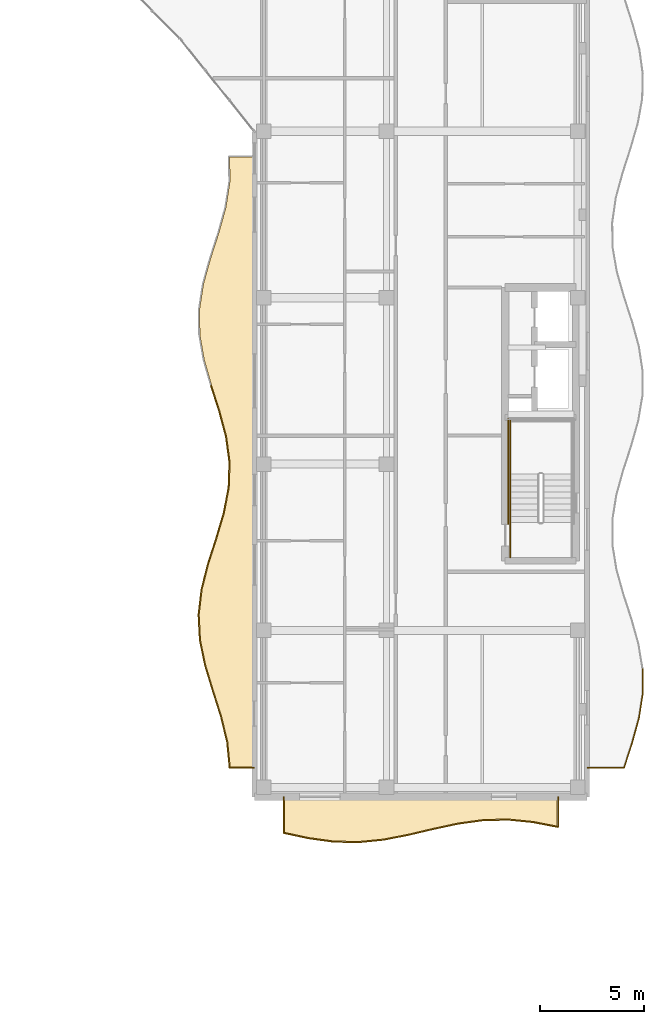
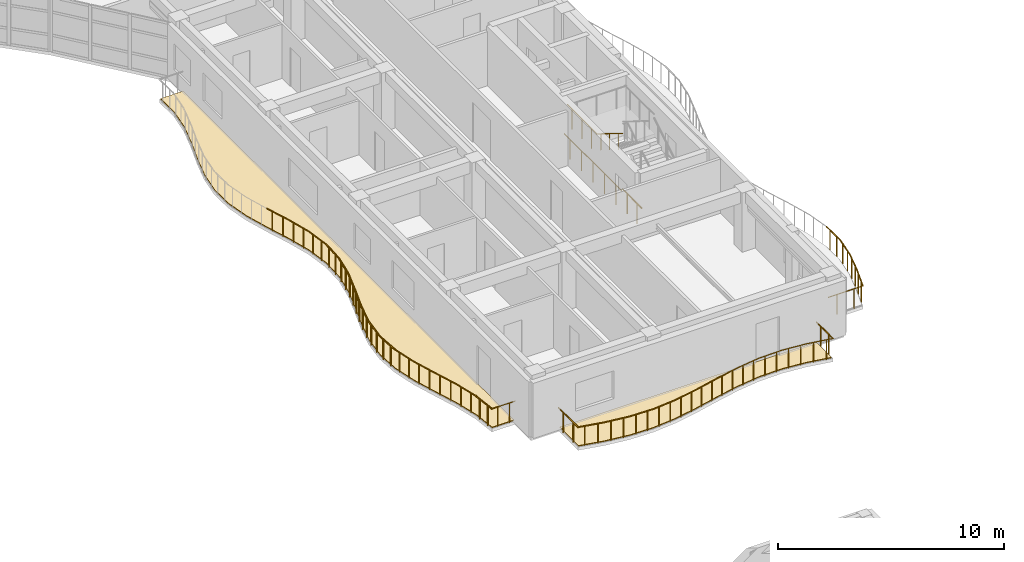
# One storey, part 84 of 89: 38 railings, 2 coverings.
"""IFC4 building model written with IfcOpenShell, lengths in metres."""

import ifcopenshell
import ifcopenshell.guid

model = None  # the IFC model being written
_history = None  # IfcOwnerHistory: only IFC2X3 demands one
_inside = {}  # id of a spatial element -> (the spatial element, [elements in it])
_under = {}  # id of a project, library or spatial element -> (it, [spatial elements below it])
_declared = {}  # id of a project -> (the project, [libraries it declares])
_typed = {}  # id of a type object -> (the type object, [elements of that type])
_made_of = {}  # id of a material, layer set ... -> (it, [elements and type objects made of it])


def new_model(schema):
    """Start an empty IFC model of exactly this schema.

    Asked for "IFC4X3", IfcOpenShell would pick the latest addendum, in which some entities
    have other attributes; the version numbers below select the first issue.
    IFC2X3 requires an IfcOwnerHistory on every rooted entity: one is made here for all.
    """
    global model, _history
    if schema == "IFC4X3":
        model = ifcopenshell.file(schema_version=(4, 3, 0, 0))
    else:
        model = ifcopenshell.file(schema=schema)
    _inside.clear()
    _under.clear()
    _declared.clear()
    _typed.clear()
    _made_of.clear()
    _history = None
    if model.schema == "IFC2X3":
        org = make("IfcOrganization", Name="unknown")
        user = make(
            "IfcPersonAndOrganization",
            ThePerson=make("IfcPerson", FamilyName="unknown"),
            TheOrganization=org,
        )
        app = make(
            "IfcApplication",
            ApplicationDeveloper=org,
            Version="unknown",
            ApplicationFullName="unknown",
            ApplicationIdentifier="unknown",
        )
        _history = make(
            "IfcOwnerHistory",
            OwningUser=user,
            OwningApplication=app,
            ChangeAction="ADDED",
            CreationDate=0,
        )
    return model


def make(cls, **values):
    """One entity of the class cls with the attributes given. An attribute that is None is left unset."""
    return model.create_entity(
        cls, **{name: value for name, value in values.items() if value is not None}
    )


def rooted(cls, **values):
    """An entity with a GlobalId (a new one), such as an element, a storey or a relation."""
    return make(cls, GlobalId=ifcopenshell.guid.new(), OwnerHistory=_history, **values)


def si_unit(unit_type, name, prefix=None):
    """IfcSIUnit, for example si_unit("LENGTHUNIT", "METRE", prefix="MILLI")."""
    return make("IfcSIUnit", UnitType=unit_type, Prefix=prefix, Name=name)


def assignment(units):
    """IfcUnitAssignment: the units of a project."""
    return None if units is None else make("IfcUnitAssignment", Units=units)


def point(xyz):
    """IfcCartesianPoint."""
    return None if xyz is None else make("IfcCartesianPoint", Coordinates=xyz)


def direction(xyz):
    """IfcDirection."""
    return None if xyz is None else make("IfcDirection", DirectionRatios=xyz)


def frame(location, z_axis=None, x_axis=None):
    """IfcAxis2Placement3D, a coordinate frame: its origin and axes. An axis left out is left unset."""
    return make(
        "IfcAxis2Placement3D",
        Location=point(location),
        Axis=direction(z_axis),
        RefDirection=direction(x_axis),
    )


def frame_2d(location, x_axis=None):
    """IfcAxis2Placement2D, a coordinate frame in the plane: its origin and x axis."""
    return make(
        "IfcAxis2Placement2D", Location=point(location), RefDirection=direction(x_axis)
    )


def origin():
    """The frame at (0, 0, 0) with its axes left unset."""
    return frame((0.0, 0.0, 0.0))


def origin_2d():
    """The frame at (0, 0) in the plane with its x axis left unset."""
    return frame_2d((0.0, 0.0))


def place(relative_to, where):
    """IfcLocalPlacement: puts the frame where relative to a parent placement (None: the world)."""
    return make(
        "IfcLocalPlacement", PlacementRelTo=relative_to, RelativePlacement=where
    )


def context(
    kind, dimensions, precision=None, world=None, true_north=None, identifier=None
):
    """IfcGeometricRepresentationContext, for example the 3D "Model" context."""
    return make(
        "IfcGeometricRepresentationContext",
        ContextIdentifier=identifier,
        ContextType=kind,
        CoordinateSpaceDimension=dimensions,
        Precision=precision,
        WorldCoordinateSystem=world,
        TrueNorth=true_north,
    )


def subcontext(parent, identifier, kind, view, scale=None):
    """IfcGeometricRepresentationSubContext, for example "Body" below "Model"."""
    return make(
        "IfcGeometricRepresentationSubContext",
        ContextIdentifier=identifier,
        ContextType=kind,
        ParentContext=parent,
        TargetScale=scale,
        TargetView=view,
    )


def project(units=None, contexts=None):
    """IfcProject with its units and contexts."""
    return rooted(
        "IfcProject",
        Name="project",
        RepresentationContexts=contexts,
        UnitsInContext=assignment(units),
    )


def spatial(cls, under=None, at=None, **own):
    """A site, building, storey or space (cls), placed at a placement, below another one or the project."""
    s = rooted(cls, ObjectPlacement=at, **own)
    if under is not None:
        _under.setdefault(under.id(), (under, []))[1].append(s)
    return s


def polyline(points):
    """IfcPolyline through the points."""
    return make("IfcPolyline", Points=[point(p) for p in points])


def profile(cls, at=None, kind="AREA", **sizes):
    """A parametric profile (cls). Its sizes go by their IFC names, for example OverallWidth=200.0."""
    return make(cls, ProfileType=kind, Position=at, **sizes)


def circle(**sizes):
    """IfcCircleProfileDef."""
    return profile("IfcCircleProfileDef", **sizes)


def outline(outer, holes=None, kind="AREA"):
    """IfcArbitraryClosedProfileDef: a profile drawn as a closed curve; with holes, ...WithVoids."""
    if holes is None:
        return make("IfcArbitraryClosedProfileDef", ProfileType=kind, OuterCurve=outer)
    return make(
        "IfcArbitraryProfileDefWithVoids",
        ProfileType=kind,
        OuterCurve=outer,
        InnerCurves=holes,
    )


def extrude(swept, where, along, depth):
    """IfcExtrudedAreaSolid: the profile swept, set in the frame where, extruded along a direction by depth."""
    return make(
        "IfcExtrudedAreaSolid",
        SweptArea=swept,
        Position=where,
        ExtrudedDirection=direction(along),
        Depth=depth,
    )


def shape(context_of_items, identifier, shape_type, items):
    """IfcShapeRepresentation: the items that make up one representation, for example the "Body"."""
    return make(
        "IfcShapeRepresentation",
        ContextOfItems=context_of_items,
        RepresentationIdentifier=identifier,
        RepresentationType=shape_type,
        Items=items,
    )


def material(Name=None, Category=None):
    """IfcMaterial."""
    return make("IfcMaterial", Name=Name, Category=Category)


def layer(
    of_material, thickness, ventilated=None, Name=None, Category=None, Priority=None
):
    """IfcMaterialLayer: one layer of a wall or slab, of a material (None: an air gap)."""
    return make(
        "IfcMaterialLayer",
        Material=of_material,
        LayerThickness=thickness,
        IsVentilated=ventilated,
        Name=Name,
        Category=Category,
        Priority=Priority,
    )


def layer_set(layers, Name=None):
    """IfcMaterialLayerSet."""
    return make("IfcMaterialLayerSet", MaterialLayers=layers, LayerSetName=Name)


def made_of(thing, what):
    """Note that an element or type object is made of a material, layer set ...; save() writes the relation."""
    if what is not None:
        _made_of.setdefault(what.id(), (what, []))[1].append(thing)
    return thing


def type_object(cls, material=None, **own):
    """A type object (cls), such as IfcWallType, which elements share."""
    return made_of(rooted(cls, **own), material)


def element(
    cls,
    number,
    at=None,
    inside=None,
    cuts=None,
    type_object=None,
    material=None,
    context=None,
    identifier="Body",
    shape_type=None,
    held_by="IfcProductDefinitionShape",
    body=None,
    shapes=None,
    **own,
):
    """One element of the class cls, such as IfcWall. Its Tag is "e" and its number.

    at: its placement. inside: the storey or other place that contains it. cuts: it is an
    opening in that element (IfcRelVoidsElement). A single representation is given by context,
    identifier, shape_type and body (its items); several are given by shapes. held_by: the class
    of the entity that holds the representations. save() writes the other relations.
    """
    e = rooted(cls, Tag="e%d" % number, ObjectPlacement=at, **own)
    if body is not None:
        shapes = [shape(context, identifier, shape_type, body)]
    if shapes is not None:
        e.Representation = make(held_by, Representations=shapes)
    if inside is not None:
        _inside.setdefault(inside.id(), (inside, []))[1].append(e)
    if cuts is not None:
        rooted(
            "IfcRelVoidsElement", RelatingBuildingElement=cuts, RelatedOpeningElement=e
        )
    if type_object is not None:
        _typed.setdefault(type_object.id(), (type_object, []))[1].append(e)
    return made_of(e, material)


def aggregate(whole, parts):
    """IfcRelAggregates: a whole, such as a stair, and the parts it consists of."""
    return rooted("IfcRelAggregates", RelatingObject=whole, RelatedObjects=parts)


def save(model, path):
    """Write the relations noted so far, then the file.

    IfcRelAggregates (storeys below a building ...), IfcRelContainedInSpatialStructure (elements
    in a storey), IfcRelDefinesByType, IfcRelAssociatesMaterial and IfcRelDeclares: one each for
    every whole, place, type object, material and project.
    """
    for whole, parts in _under.values():
        aggregate(whole, parts)
    for where, things in _inside.values():
        rooted(
            "IfcRelContainedInSpatialStructure",
            RelatedElements=things,
            RelatingStructure=where,
        )
    for kind, things in _typed.values():
        rooted("IfcRelDefinesByType", RelatedObjects=things, RelatingType=kind)
    for what, things in _made_of.values():
        rooted("IfcRelAssociatesMaterial", RelatedObjects=things, RelatingMaterial=what)
    for by, libraries in _declared.values():
        rooted("IfcRelDeclares", RelatingContext=by, RelatedDefinitions=libraries)
    model.write(path)


model = new_model("IFC4")

# Units and contexts
model_context = context("Model", 3, precision=1e-05, world=origin(), true_north=direction((0.0, 1.0)))
body_context = subcontext(model_context, "Body", "Model", "MODEL_VIEW")
ifc_project = project(units=[si_unit("LENGTHUNIT", "METRE"), si_unit("AREAUNIT", "SQUARE_METRE"), si_unit("VOLUMEUNIT", "CUBIC_METRE"), si_unit("PLANEANGLEUNIT", "RADIAN"), si_unit("MASSUNIT", "GRAM", prefix="KILO")], contexts=[model_context])

# Site, building, storey
site_placement = place(None, origin())
site = spatial("IfcSite", under=ifc_project, at=site_placement, CompositionType="ELEMENT")
building_placement = place(site_placement, origin())
building = spatial("IfcBuilding", under=site, at=building_placement, Name="Keldmere Railside Commons", CompositionType="ELEMENT")
storey_placement = place(building_placement, frame((0.0, 0.0, 7.360107421875)))
storey = spatial("IfcBuildingStorey", under=building, at=storey_placement, Name="L02", CompositionType="ELEMENT", Elevation=7.360107421875)

# Railings
ifc_material_1 = material(Name="Steel F-24 (S235)", Category="steel")
railing_type_1 = type_object("IfcRailingType", Name="Balcony & Terrace Steel Balustrade 1100", PredefinedType="BALUSTRADE", material=ifc_material_1)
railing_1_placement = place(storey_placement, frame((168.0, 57.39990234375, 0.0)))
element("IfcRailing", 1, at=railing_1_placement, inside=storey, type_object=railing_type_1, Name="GR-1 GRD-L02-3320", PredefinedType="BALUSTRADE", context=body_context, shape_type="SweptSolid", body=[
    extrude(circle(Radius=0.02392578125, at=origin_2d()), frame((0.0, 0.0, 1.076171875), z_axis=(-1.0, 0.0, 0.0), x_axis=(0.0, -1.0, 0.0)), (0.0, 0.0, 1.0), 1.200439453125),
    extrude(circle(Radius=0.02099609375, at=origin_2d()), frame((-0.300048828125, 0.0, 0.0)), (0.0, 0.0, 1.0), 1.048095703125),
    extrude(circle(Radius=0.02099609375, at=origin_2d()), frame((-0.900390625, 0.0, 0.0)), (0.0, 0.0, 1.0), 1.048095703125),
])
railing_2_placement = place(storey_placement, frame((166.799560546875, 57.39990234375, 0.0)))
element("IfcRailing", 2, at=railing_2_placement, inside=storey, type_object=railing_type_1, Name="GR-1 GRD-L02-3321", PredefinedType="BALUSTRADE", context=body_context, shape_type="SweptSolid", body=[
    extrude(circle(Radius=0.02392578125, at=origin_2d()), frame((0.0, 0.0, 1.076171875), z_axis=(-0.096596770038, 0.99532359764, 0.0), x_axis=(-0.99532359764, -0.096596770038, 0.0)), (0.0, 0.0, 1.0), 1.23095703125),
    extrude(circle(Radius=0.02099609375, at=origin_2d()), frame((-0.02978515625, 0.30615234375, 0.0)), (0.0, 0.0, 1.0), 1.048095703125),
    extrude(circle(Radius=0.02099609375, at=origin_2d()), frame((-0.089111328125, 0.9189453125, 0.0)), (0.0, 0.0, 1.0), 1.048095703125),
])
railing_3_placement = place(storey_placement, frame((166.6806640625, 58.625, 0.0)))
element("IfcRailing", 3, at=railing_3_placement, inside=storey, type_object=railing_type_1, Name="GR-1 GRD-L02-3322", PredefinedType="BALUSTRADE", context=body_context, shape_type="SweptSolid", body=[
    extrude(circle(Radius=0.02392578125, at=origin_2d()), frame((0.0, 0.0, 1.076171875), z_axis=(-0.234047055835, 0.972225270015, 0.0), x_axis=(-0.972225270015, -0.234047055835, 0.0)), (0.0, 0.0, 1.0), 1.260009765625),
    extrude(circle(Radius=0.02099609375, at=origin_2d()), frame((-0.07373046875, 0.30615234375, 0.0)), (0.0, 0.0, 1.0), 1.048095703125),
    extrude(circle(Radius=0.02099609375, at=origin_2d()), frame((-0.22119140625, 0.9189453125, 0.0)), (0.0, 0.0, 1.0), 1.048095703125),
])
railing_4_placement = place(storey_placement, frame((166.3857421875, 59.85009765625, 0.0)))
element("IfcRailing", 4, at=railing_4_placement, inside=storey, type_object=railing_type_1, Name="GR-1 GRD-L02-3323", PredefinedType="BALUSTRADE", context=body_context, shape_type="SweptSolid", body=[
    extrude(circle(Radius=0.02392578125, at=origin_2d()), frame((0.0, 0.0, 1.076171875), z_axis=(-0.302285967986, 0.953217285596, 0.0), x_axis=(-0.953217285596, -0.302285967986, 0.0)), (0.0, 0.0, 1.0), 1.284912109375),
    extrude(circle(Radius=0.02099609375, at=origin_2d()), frame((-0.09716796875, 0.30615234375, 0.0)), (0.0, 0.0, 1.0), 1.048095703125),
    extrude(circle(Radius=0.02099609375, at=origin_2d()), frame((-0.291259765625, 0.918701171875, 0.0)), (0.0, 0.0, 1.0), 1.048095703125),
])
railing_5_placement = place(storey_placement, frame((165.997314453125, 61.074951171875, 0.0)))
element("IfcRailing", 5, at=railing_5_placement, inside=storey, type_object=railing_type_1, Name="GR-1 GRD-L02-3324", PredefinedType="BALUSTRADE", context=body_context, shape_type="SweptSolid", body=[
    extrude(circle(Radius=0.02392578125, at=origin_2d()), frame((0.0, 0.0, 1.076171875), z_axis=(-0.29182142084, 0.956472821537, 0.0), x_axis=(-0.956472821537, -0.29182142084, 0.0)), (0.0, 0.0, 1.0), 1.28076171875),
    extrude(circle(Radius=0.02099609375, at=origin_2d()), frame((-0.093505859375, 0.30615234375, 0.0)), (0.0, 0.0, 1.0), 1.048095703125),
    extrude(circle(Radius=0.02099609375, at=origin_2d()), frame((-0.2802734375, 0.9189453125, 0.0)), (0.0, 0.0, 1.0), 1.048095703125),
])
railing_6_placement = place(storey_placement, frame((165.62353515625, 62.300048828125, 0.0)))
element("IfcRailing", 6, at=railing_6_placement, inside=storey, type_object=railing_type_1, Name="GR-1 GRD-L02-3325", PredefinedType="BALUSTRADE", context=body_context, shape_type="SweptSolid", body=[
    extrude(circle(Radius=0.02392578125, at=origin_2d()), frame((0.0, 0.0, 1.076171875), z_axis=(-0.203728260591, 0.979027474506, 0.0), x_axis=(-0.979027474506, -0.203728260591, 0.0)), (0.0, 0.0, 1.0), 1.2509765625),
    extrude(circle(Radius=0.02099609375, at=origin_2d()), frame((-0.063720703125, 0.30615234375, 0.0)), (0.0, 0.0, 1.0), 1.048095703125),
    extrude(circle(Radius=0.02099609375, at=origin_2d()), frame((-0.191162109375, 0.918701171875, 0.0)), (0.0, 0.0, 1.0), 1.048095703125),
])
railing_7_placement = place(storey_placement, frame((165.36865234375, 63.52490234375, 0.0)))
element("IfcRailing", 7, at=railing_7_placement, inside=storey, type_object=railing_type_1, Name="GR-1 GRD-L02-3326", PredefinedType="BALUSTRADE", context=body_context, shape_type="SweptSolid", body=[
    extrude(circle(Radius=0.02392578125, at=origin_2d()), frame((0.0, 0.0, 1.076171875), z_axis=(-0.052736397772, 0.998608467994, 0.0), x_axis=(-0.998608467994, -0.052736397772, 0.0)), (0.0, 0.0, 1.0), 1.226806640625),
    extrude(circle(Radius=0.02099609375, at=origin_2d()), frame((-0.01611328125, 0.30615234375, 0.0)), (0.0, 0.0, 1.0), 1.048095703125),
    extrude(circle(Radius=0.02099609375, at=origin_2d()), frame((-0.048583984375, 0.9189453125, 0.0)), (0.0, 0.0, 1.0), 1.048095703125),
])
railing_8_placement = place(storey_placement, frame((165.303955078125, 64.75, 0.0)))
element("IfcRailing", 8, at=railing_8_placement, inside=storey, type_object=railing_type_1, Name="GR-1 GRD-L02-3327", PredefinedType="BALUSTRADE", context=body_context, shape_type="SweptSolid", body=[
    extrude(circle(Radius=0.02392578125, at=origin_2d()), frame((0.0, 0.0, 1.076171875), z_axis=(0.116186624915, 0.99322740004, 0.0), x_axis=(-0.99322740004, 0.116186624915, 0.0)), (0.0, 0.0, 1.0), 1.2333984375),
    extrude(circle(Radius=0.02099609375, at=origin_2d()), frame((0.035888671875, 0.30615234375, 0.0)), (0.0, 0.0, 1.0), 1.048095703125),
    extrude(circle(Radius=0.02099609375, at=origin_2d()), frame((0.107421875, 0.9189453125, 0.0)), (0.0, 0.0, 1.0), 1.048095703125),
])
railing_9_placement = place(storey_placement, frame((165.447265625, 65.97509765625, 0.0)))
element("IfcRailing", 9, at=railing_9_placement, inside=storey, type_object=railing_type_1, Name="GR-1 GRD-L02-3328", PredefinedType="BALUSTRADE", context=body_context, shape_type="SweptSolid", body=[
    extrude(circle(Radius=0.02392578125, at=origin_2d()), frame((0.0, 0.0, 1.076171875), z_axis=(0.2464879626, 0.969145852952, 0.0), x_axis=(-0.969145852952, 0.2464879626, 0.0)), (0.0, 0.0, 1.0), 1.263916015625),
    extrude(circle(Radius=0.02099609375, at=origin_2d()), frame((0.077880859375, 0.30615234375, 0.0)), (0.0, 0.0, 1.0), 1.048095703125),
    extrude(circle(Radius=0.02099609375, at=origin_2d()), frame((0.233642578125, 0.918701171875, 0.0)), (0.0, 0.0, 1.0), 1.048095703125),
])
railing_10_placement = place(storey_placement, frame((165.7587890625, 67.199951171875, 0.0)))
element("IfcRailing", 10, at=railing_10_placement, inside=storey, type_object=railing_type_1, Name="GR-1 GRD-L02-3329", PredefinedType="BALUSTRADE", context=body_context, shape_type="SweptSolid", body=[
    extrude(circle(Radius=0.02392578125, at=origin_2d()), frame((0.0, 0.0, 1.076171875), z_axis=(0.305333404946, 0.952245510267, 0.0), x_axis=(-0.952245510267, 0.305333404946, 0.0)), (0.0, 0.0, 1.0), 1.28662109375),
    extrude(circle(Radius=0.02099609375, at=origin_2d()), frame((0.09814453125, 0.30615234375, 0.0)), (0.0, 0.0, 1.0), 1.048095703125),
    extrude(circle(Radius=0.02099609375, at=origin_2d()), frame((0.294677734375, 0.9189453125, 0.0)), (0.0, 0.0, 1.0), 1.048095703125),
])
railing_11_placement = place(storey_placement, frame((166.151611328125, 68.425048828125, 0.0)))
element("IfcRailing", 11, at=railing_11_placement, inside=storey, type_object=railing_type_1, Name="GR-1 GRD-L02-3330", PredefinedType="BALUSTRADE", context=body_context, shape_type="SweptSolid", body=[
    extrude(circle(Radius=0.02392578125, at=origin_2d()), frame((0.0, 0.0, 1.076171875), z_axis=(0.285050919605, 0.958512375106, 0.0), x_axis=(-0.958512375106, 0.285050919605, 0.0)), (0.0, 0.0, 1.0), 1.27783203125),
    extrude(circle(Radius=0.02099609375, at=origin_2d()), frame((0.091064453125, 0.30615234375, 0.0)), (0.0, 0.0, 1.0), 1.048095703125),
    extrude(circle(Radius=0.02099609375, at=origin_2d()), frame((0.273193359375, 0.918701171875, 0.0)), (0.0, 0.0, 1.0), 1.048095703125),
])
railing_12_placement = place(storey_placement, frame((166.515869140625, 69.64990234375, 0.0)))
element("IfcRailing", 12, at=railing_12_placement, inside=storey, type_object=railing_type_1, Name="GR-1 GRD-L02-3331", PredefinedType="BALUSTRADE", context=body_context, shape_type="SweptSolid", body=[
    extrude(circle(Radius=0.02392578125, at=origin_2d()), frame((0.0, 0.0, 1.076171875), z_axis=(0.187903544579, 0.982187486142, 0.0), x_axis=(-0.982187486142, 0.187903544579, 0.0)), (0.0, 0.0, 1.0), 1.247314453125),
    extrude(circle(Radius=0.02099609375, at=origin_2d()), frame((0.05859375, 0.30615234375, 0.0)), (0.0, 0.0, 1.0), 1.048095703125),
    extrude(circle(Radius=0.02099609375, at=origin_2d()), frame((0.17578125, 0.9189453125, 0.0)), (0.0, 0.0, 1.0), 1.048095703125),
])
railing_13_placement = place(storey_placement, frame((166.750244140625, 70.875, 0.0)))
element("IfcRailing", 13, at=railing_13_placement, inside=storey, type_object=railing_type_1, Name="GR-1 GRD-L02-3332", PredefinedType="BALUSTRADE", context=body_context, shape_type="SweptSolid", body=[
    extrude(circle(Radius=0.02392578125, at=origin_2d()), frame((0.0, 0.0, 1.076171875), z_axis=(0.031869017262, 0.999492053865, 0.0), x_axis=(-0.999492053865, 0.031869017262, 0.0)), (0.0, 0.0, 1.0), 1.225830078125),
    extrude(circle(Radius=0.02099609375, at=origin_2d()), frame((0.009765625, 0.30615234375, 0.0)), (0.0, 0.0, 1.0), 1.048095703125),
    extrude(circle(Radius=0.02099609375, at=origin_2d()), frame((0.029296875, 0.9189453125, 0.0)), (0.0, 0.0, 1.0), 1.048095703125),
])
railing_14_placement = place(storey_placement, frame((166.789306640625, 72.10009765625, 0.0)))
element("IfcRailing", 14, at=railing_14_placement, inside=storey, type_object=railing_type_1, Name="GR-1 GRD-L02-3333", PredefinedType="BALUSTRADE", context=body_context, shape_type="SweptSolid", body=[
    extrude(circle(Radius=0.02392578125, at=origin_2d()), frame((0.0, 0.0, 1.076171875), z_axis=(-0.135086765156, 0.990833773082, 0.0), x_axis=(-0.990833773082, -0.135086765156, 0.0)), (0.0, 0.0, 1.0), 1.236083984375),
    extrude(circle(Radius=0.02099609375, at=origin_2d()), frame((-0.041748046875, 0.30615234375, 0.0)), (0.0, 0.0, 1.0), 1.048095703125),
    extrude(circle(Radius=0.02099609375, at=origin_2d()), frame((-0.125244140625, 0.918701171875, 0.0)), (0.0, 0.0, 1.0), 1.048095703125),
])
railing_15_placement = place(storey_placement, frame((166.622314453125, 73.324951171875, 0.0)))
element("IfcRailing", 15, at=railing_15_placement, inside=storey, type_object=railing_type_1, Name="GR-1 GRD-L02-3334", PredefinedType="BALUSTRADE", context=body_context, shape_type="SweptSolid", body=[
    extrude(circle(Radius=0.02392578125, at=origin_2d()), frame((0.0, 0.0, 1.076171875), z_axis=(-0.257818441298, 0.966193381951, 0.0), x_axis=(-0.966193381951, -0.257818441298, 0.0)), (0.0, 0.0, 1.0), 1.26806640625),
    extrude(circle(Radius=0.02099609375, at=origin_2d()), frame((-0.081787109375, 0.30615234375, 0.0)), (0.0, 0.0, 1.0), 1.048095703125),
    extrude(circle(Radius=0.02099609375, at=origin_2d()), frame((-0.2451171875, 0.9189453125, 0.0)), (0.0, 0.0, 1.0), 1.048095703125),
])
railing_16_placement = place(storey_placement, frame((166.29541015625, 74.550048828125, 0.0)))
element("IfcRailing", 16, at=railing_16_placement, inside=storey, type_object=railing_type_1, Name="GR-1 GRD-L02-3335", PredefinedType="BALUSTRADE", context=body_context, shape_type="SweptSolid", body=[
    extrude(circle(Radius=0.02392578125, at=origin_2d()), frame((0.0, 0.0, 1.076171875), z_axis=(-0.307108081908, 0.951674642946, 0.0), x_axis=(-0.951674642946, -0.307108081908, 0.0)), (0.0, 0.0, 1.0), 1.287109375),
    extrude(circle(Radius=0.02099609375, at=origin_2d()), frame((-0.098876953125, 0.30615234375, 0.0)), (0.0, 0.0, 1.0), 1.048095703125),
    extrude(circle(Radius=0.02099609375, at=origin_2d()), frame((-0.29638671875, 0.918701171875, 0.0)), (0.0, 0.0, 1.0), 1.048095703125),
])
railing_17_placement = place(storey_placement, frame((184.0, 57.39990234375, 0.0)))
element("IfcRailing", 17, at=railing_17_placement, inside=storey, type_object=railing_type_1, Name="GR-1 GRD-L02-3346", PredefinedType="BALUSTRADE", context=body_context, shape_type="SweptSolid", body=[
    extrude(circle(Radius=0.02392578125, at=origin_2d()), frame((0.0, 0.0, 1.076171875), z_axis=(1.0, 0.0, 0.0), x_axis=(0.0, 1.0, 0.0)), (0.0, 0.0, 1.0), 1.776611328125),
    extrude(circle(Radius=0.02099609375, at=origin_2d()), frame((0.444091796875, 0.0, 0.0)), (0.0, 0.0, 1.0), 1.048095703125),
    extrude(circle(Radius=0.02099609375, at=origin_2d()), frame((1.33251953125, 0.0, 0.0)), (0.0, 0.0, 1.0), 1.048095703125),
])
railing_18_placement = place(storey_placement, frame((185.776611328125, 57.39990234375, 0.0)))
element("IfcRailing", 18, at=railing_18_placement, inside=storey, type_object=railing_type_1, Name="GR-1 GRD-L02-3347", PredefinedType="BALUSTRADE", context=body_context, shape_type="SweptSolid", body=[
    extrude(circle(Radius=0.02392578125, at=origin_2d()), frame((0.0, 0.0, 1.076171875), z_axis=(0.307737259803, 0.95147137578, 0.0), x_axis=(-0.95147137578, 0.307737259803, 0.0)), (0.0, 0.0, 1.0), 1.252685546875),
    extrude(circle(Radius=0.02099609375, at=origin_2d()), frame((0.096435546875, 0.2978515625, 0.0)), (0.0, 0.0, 1.0), 1.048095703125),
    extrude(circle(Radius=0.02099609375, at=origin_2d()), frame((0.2890625, 0.89404296875, 0.0)), (0.0, 0.0, 1.0), 1.048095703125),
])
railing_19_placement = place(storey_placement, frame((186.162109375, 58.591796875, 0.0)))
element("IfcRailing", 19, at=railing_19_placement, inside=storey, type_object=railing_type_1, Name="GR-1 GRD-L02-3348", PredefinedType="BALUSTRADE", context=body_context, shape_type="SweptSolid", body=[
    extrude(circle(Radius=0.02392578125, at=origin_2d()), frame((0.0, 0.0, 1.076171875), z_axis=(0.266441614751, 0.963851060034, 0.0), x_axis=(-0.963851060034, 0.266441614751, 0.0)), (0.0, 0.0, 1.0), 1.236083984375),
    extrude(circle(Radius=0.02099609375, at=origin_2d()), frame((0.082275390625, 0.2978515625, 0.0)), (0.0, 0.0, 1.0), 1.048095703125),
    extrude(circle(Radius=0.02099609375, at=origin_2d()), frame((0.2470703125, 0.8935546875, 0.0)), (0.0, 0.0, 1.0), 1.048095703125),
])
railing_20_placement = place(storey_placement, frame((186.491455078125, 59.783203125, 0.0)))
element("IfcRailing", 20, at=railing_20_placement, inside=storey, type_object=railing_type_1, Name="GR-1 GRD-L02-3349", PredefinedType="BALUSTRADE", context=body_context, shape_type="SweptSolid", body=[
    extrude(circle(Radius=0.02392578125, at=origin_2d()), frame((0.0, 0.0, 1.076171875), z_axis=(0.154413921588, 0.988006245334, 0.0), x_axis=(-0.988006245334, 0.154413921588, 0.0)), (0.0, 0.0, 1.0), 1.206298828125),
    extrude(circle(Radius=0.02099609375, at=origin_2d()), frame((0.046630859375, 0.2978515625, 0.0)), (0.0, 0.0, 1.0), 1.048095703125),
    extrude(circle(Radius=0.02099609375, at=origin_2d()), frame((0.1396484375, 0.89404296875, 0.0)), (0.0, 0.0, 1.0), 1.048095703125),
])
railing_21_placement = place(storey_placement, frame((186.677734375, 60.97509765625, 0.0)))
element("IfcRailing", 21, at=railing_21_placement, inside=storey, type_object=railing_type_1, Name="GR-1 GRD-L02-3350", PredefinedType="BALUSTRADE", context=body_context, shape_type="SweptSolid", body=[
    extrude(circle(Radius=0.02392578125, at=origin_2d()), frame((0.0, 0.0, 1.076171875), z_axis=(-0.005121834067, 0.999986883322, 0.0), x_axis=(-0.999986883322, -0.005121834067, 0.0)), (0.0, 0.0, 1.0), 1.191650390625),
    extrude(circle(Radius=0.02099609375, at=origin_2d()), frame((-0.00146484375, 0.2978515625, 0.0)), (0.0, 0.0, 1.0), 1.048095703125),
    extrude(circle(Radius=0.02099609375, at=origin_2d()), frame((-0.004638671875, 0.893798828125, 0.0)), (0.0, 0.0, 1.0), 1.048095703125),
])
railing_22_placement = place(storey_placement, frame((169.39990234375, 56.0, 0.0)))
element("IfcRailing", 22, at=railing_22_placement, inside=storey, type_object=railing_type_1, Name="GR-1 GRD-L02-3409", PredefinedType="BALUSTRADE", context=body_context, shape_type="SweptSolid", body=[
    extrude(circle(Radius=0.02392578125, at=origin_2d()), frame((0.0, 0.0, 1.076171875), z_axis=(0.0, -1.0, 0.0), x_axis=(1.0, 0.0, 0.0)), (0.0, 0.0, 1.0), 1.7412109375),
    extrude(circle(Radius=0.02099609375, at=origin_2d()), frame((0.0, -0.435302734375, 0.0)), (0.0, 0.0, 1.0), 1.048095703125),
    extrude(circle(Radius=0.02099609375, at=origin_2d()), frame((0.0, -1.305908203125, 0.0)), (0.0, 0.0, 1.0), 1.048095703125),
])
railing_23_placement = place(storey_placement, frame((169.39990234375, 54.2587890625, 0.0)))
element("IfcRailing", 23, at=railing_23_placement, inside=storey, type_object=railing_type_1, Name="GR-1 GRD-L02-3410", PredefinedType="BALUSTRADE", context=body_context, shape_type="SweptSolid", body=[
    extrude(circle(Radius=0.02392578125, at=origin_2d()), frame((0.0, 0.0, 1.076171875), z_axis=(0.977492911563, -0.210968262646, 0.0), x_axis=(0.210968262646, 0.977492911563, 0.0)), (0.0, 0.0, 1.0), 1.227783203125),
    extrude(circle(Radius=0.02099609375, at=origin_2d()), frame((0.300048828125, -0.064697265625, 0.0)), (0.0, 0.0, 1.0), 1.048095703125),
    extrude(circle(Radius=0.02099609375, at=origin_2d()), frame((0.900146484375, -0.1943359375, 0.0)), (0.0, 0.0, 1.0), 1.048095703125),
])
railing_24_placement = place(storey_placement, frame((170.60009765625, 53.999755859375, 0.0)))
element("IfcRailing", 24, at=railing_24_placement, inside=storey, type_object=railing_type_1, Name="GR-1 GRD-L02-3411", PredefinedType="BALUSTRADE", context=body_context, shape_type="SweptSolid", body=[
    extrude(circle(Radius=0.02392578125, at=origin_2d()), frame((0.0, 0.0, 1.076171875), z_axis=(0.990673739072, -0.136255431864, 0.0), x_axis=(0.136255431864, 0.990673739072, 0.0)), (0.0, 0.0, 1.0), 1.211181640625),
    extrude(circle(Radius=0.02099609375, at=origin_2d()), frame((0.300048828125, -0.041259765625, 0.0)), (0.0, 0.0, 1.0), 1.048095703125),
    extrude(circle(Radius=0.02099609375, at=origin_2d()), frame((0.89990234375, -0.123779296875, 0.0)), (0.0, 0.0, 1.0), 1.048095703125),
])
railing_25_placement = place(storey_placement, frame((171.800048828125, 53.834716796875, 0.0)))
element("IfcRailing", 25, at=railing_25_placement, inside=storey, type_object=railing_type_1, Name="GR-1 GRD-L02-3412", PredefinedType="BALUSTRADE", context=body_context, shape_type="SweptSolid", body=[
    extrude(circle(Radius=0.02392578125, at=origin_2d()), frame((0.0, 0.0, 1.076171875), z_axis=(0.999745080635, -0.022578169675, 0.0), x_axis=(0.022578169675, 0.999745080635, 0.0)), (0.0, 0.0, 1.0), 1.2001953125),
    extrude(circle(Radius=0.02099609375, at=origin_2d()), frame((0.300048828125, -0.0068359375, 0.0)), (0.0, 0.0, 1.0), 1.048095703125),
    extrude(circle(Radius=0.02099609375, at=origin_2d()), frame((0.89990234375, -0.020263671875, 0.0)), (0.0, 0.0, 1.0), 1.048095703125),
])
railing_26_placement = place(storey_placement, frame((173.0, 53.8076171875, 0.0)))
element("IfcRailing", 26, at=railing_26_placement, inside=storey, type_object=railing_type_1, Name="GR-1 GRD-L02-3413", PredefinedType="BALUSTRADE", context=body_context, shape_type="SweptSolid", body=[
    extrude(circle(Radius=0.02392578125, at=origin_2d()), frame((0.0, 0.0, 1.076171875), z_axis=(0.99516664295, 0.098200574126, 0.0), x_axis=(-0.098200574126, 0.99516664295, 0.0)), (0.0, 0.0, 1.0), 1.205810546875),
    extrude(circle(Radius=0.02099609375, at=origin_2d()), frame((0.300048828125, 0.029541015625, 0.0)), (0.0, 0.0, 1.0), 1.048095703125),
    extrude(circle(Radius=0.02099609375, at=origin_2d()), frame((0.89990234375, 0.0888671875, 0.0)), (0.0, 0.0, 1.0), 1.048095703125),
])
railing_27_placement = place(storey_placement, frame((174.199951171875, 53.926025390625, 0.0)))
element("IfcRailing", 27, at=railing_27_placement, inside=storey, type_object=railing_type_1, Name="GR-1 GRD-L02-3414", PredefinedType="BALUSTRADE", context=body_context, shape_type="SweptSolid", body=[
    extrude(circle(Radius=0.02392578125, at=origin_2d()), frame((0.0, 0.0, 1.076171875), z_axis=(0.981827906182, 0.189773450839, 0.0), x_axis=(-0.189773450839, 0.981827906182, 0.0)), (0.0, 0.0, 1.0), 1.22216796875),
    extrude(circle(Radius=0.02099609375, at=origin_2d()), frame((0.300048828125, 0.05810546875, 0.0)), (0.0, 0.0, 1.0), 1.048095703125),
    extrude(circle(Radius=0.02099609375, at=origin_2d()), frame((0.89990234375, 0.173828125, 0.0)), (0.0, 0.0, 1.0), 1.048095703125),
])
railing_28_placement = place(storey_placement, frame((175.39990234375, 54.157958984375, 0.0)))
element("IfcRailing", 28, at=railing_28_placement, inside=storey, type_object=railing_type_1, Name="GR-1 GRD-L02-3415", PredefinedType="BALUSTRADE", context=body_context, shape_type="SweptSolid", body=[
    extrude(circle(Radius=0.02392578125, at=origin_2d()), frame((0.0, 0.0, 1.076171875), z_axis=(0.97322730179, 0.229844771639, 0.0), x_axis=(-0.229844771639, 0.97322730179, 0.0)), (0.0, 0.0, 1.0), 1.233154296875),
    extrude(circle(Radius=0.02099609375, at=origin_2d()), frame((0.300048828125, 0.07080078125, 0.0)), (0.0, 0.0, 1.0), 1.048095703125),
    extrude(circle(Radius=0.02099609375, at=origin_2d()), frame((0.900146484375, 0.212646484375, 0.0)), (0.0, 0.0, 1.0), 1.048095703125),
])
railing_29_placement = place(storey_placement, frame((176.60009765625, 54.44140625, 0.0)))
element("IfcRailing", 29, at=railing_29_placement, inside=storey, type_object=railing_type_1, Name="GR-1 GRD-L02-3416", PredefinedType="BALUSTRADE", context=body_context, shape_type="SweptSolid", body=[
    extrude(circle(Radius=0.02392578125, at=origin_2d()), frame((0.0, 0.0, 1.076171875), z_axis=(0.977525062543, 0.210819240345, 0.0), x_axis=(-0.210819240345, 0.977525062543, 0.0)), (0.0, 0.0, 1.0), 1.2275390625),
    extrude(circle(Radius=0.02099609375, at=origin_2d()), frame((0.300048828125, 0.064697265625, 0.0)), (0.0, 0.0, 1.0), 1.048095703125),
    extrude(circle(Radius=0.02099609375, at=origin_2d()), frame((0.89990234375, 0.194091796875, 0.0)), (0.0, 0.0, 1.0), 1.048095703125),
])
railing_30_placement = place(storey_placement, frame((177.800048828125, 54.7001953125, 0.0)))
element("IfcRailing", 30, at=railing_30_placement, inside=storey, type_object=railing_type_1, Name="GR-1 GRD-L02-3417", PredefinedType="BALUSTRADE", context=body_context, shape_type="SweptSolid", body=[
    extrude(circle(Radius=0.02392578125, at=origin_2d()), frame((0.0, 0.0, 1.076171875), z_axis=(0.990646512385, 0.136453242906, 0.0), x_axis=(-0.136453242906, 0.990646512385, 0.0)), (0.0, 0.0, 1.0), 1.211181640625),
    extrude(circle(Radius=0.02099609375, at=origin_2d()), frame((0.300048828125, 0.041259765625, 0.0)), (0.0, 0.0, 1.0), 1.048095703125),
    extrude(circle(Radius=0.02099609375, at=origin_2d()), frame((0.89990234375, 0.1240234375, 0.0)), (0.0, 0.0, 1.0), 1.048095703125),
])
railing_31_placement = place(storey_placement, frame((179.0, 54.865478515625, 0.0)))
element("IfcRailing", 31, at=railing_31_placement, inside=storey, type_object=railing_type_1, Name="GR-1 GRD-L02-3418", PredefinedType="BALUSTRADE", context=body_context, shape_type="SweptSolid", body=[
    extrude(circle(Radius=0.02392578125, at=origin_2d()), frame((0.0, 0.0, 1.076171875), z_axis=(0.99974965137, 0.022374865036, 0.0), x_axis=(-0.022374865036, 0.99974965137, 0.0)), (0.0, 0.0, 1.0), 1.2001953125),
    extrude(circle(Radius=0.02099609375, at=origin_2d()), frame((0.300048828125, 0.0068359375, 0.0)), (0.0, 0.0, 1.0), 1.048095703125),
    extrude(circle(Radius=0.02099609375, at=origin_2d()), frame((0.89990234375, 0.02001953125, 0.0)), (0.0, 0.0, 1.0), 1.048095703125),
])
railing_32_placement = place(storey_placement, frame((180.199951171875, 54.892333984375, 0.0)))
element("IfcRailing", 32, at=railing_32_placement, inside=storey, type_object=railing_type_1, Name="GR-1 GRD-L02-3419", PredefinedType="BALUSTRADE", context=body_context, shape_type="SweptSolid", body=[
    extrude(circle(Radius=0.02392578125, at=origin_2d()), frame((0.0, 0.0, 1.076171875), z_axis=(0.99516664295, -0.098200574126, 0.0), x_axis=(0.098200574126, 0.99516664295, 0.0)), (0.0, 0.0, 1.0), 1.205810546875),
    extrude(circle(Radius=0.02099609375, at=origin_2d()), frame((0.300048828125, -0.029541015625, 0.0)), (0.0, 0.0, 1.0), 1.048095703125),
    extrude(circle(Radius=0.02099609375, at=origin_2d()), frame((0.89990234375, -0.0888671875, 0.0)), (0.0, 0.0, 1.0), 1.048095703125),
])
railing_33_placement = place(storey_placement, frame((181.39990234375, 54.77392578125, 0.0)))
element("IfcRailing", 33, at=railing_33_placement, inside=storey, type_object=railing_type_1, Name="GR-1 GRD-L02-3420", PredefinedType="BALUSTRADE", context=body_context, shape_type="SweptSolid", body=[
    extrude(circle(Radius=0.02392578125, at=origin_2d()), frame((0.0, 0.0, 1.076171875), z_axis=(0.98183509827, -0.189736237461, 0.0), x_axis=(0.189736237461, 0.98183509827, 0.0)), (0.0, 0.0, 1.0), 1.222412109375),
    extrude(circle(Radius=0.02099609375, at=origin_2d()), frame((0.300048828125, -0.05810546875, 0.0)), (0.0, 0.0, 1.0), 1.048095703125),
    extrude(circle(Radius=0.02099609375, at=origin_2d()), frame((0.900146484375, -0.173828125, 0.0)), (0.0, 0.0, 1.0), 1.048095703125),
])
railing_34_placement = place(storey_placement, frame((182.60009765625, 54.5419921875, 0.0)))
element("IfcRailing", 34, at=railing_34_placement, inside=storey, type_object=railing_type_1, Name="GR-1 GRD-L02-3421", PredefinedType="BALUSTRADE", context=body_context, shape_type="SweptSolid", body=[
    extrude(circle(Radius=0.02392578125, at=origin_2d()), frame((0.0, 0.0, 1.076171875), z_axis=(0.0, 1.0, 0.0), x_axis=(-1.0, 0.0, 0.0)), (0.0, 0.0, 1.0), 1.4580078125),
    extrude(circle(Radius=0.02099609375, at=origin_2d()), frame((0.0, 0.364501953125, 0.0)), (0.0, 0.0, 1.0), 1.048095703125),
    extrude(circle(Radius=0.02099609375, at=origin_2d()), frame((0.0, 1.093505859375, 0.0)), (0.0, 0.0, 1.0), 1.048095703125),
])
railing_type_2 = type_object("IfcRailingType", Name="Stair Well Steel Guardrail 1100", PredefinedType="BALUSTRADE", material=ifc_material_1)
railing_35_placement = place(storey_placement, frame((180.300048828125, 71.52001953125, 1.599853515625)))
element("IfcRailing", 35, at=railing_35_placement, inside=storey, type_object=railing_type_2, Name="L02 ST-A1 stair guard 4", PredefinedType="BALUSTRADE", context=body_context, shape_type="SweptSolid", body=[
    extrude(circle(Radius=0.02392578125, at=origin_2d()), frame((0.0, 0.0, 1.076171875), z_axis=(0.0, 1.0, 0.0), x_axis=(-1.0, 0.0, 0.0)), (0.0, 0.0, 1.0), 2.580078125),
    extrude(circle(Radius=0.02099609375, at=origin_2d()), frame((0.0, 0.429931640625, 0.0)), (0.0, 0.0, 1.0), 1.048095703125),
    extrude(circle(Radius=0.02099609375, at=origin_2d()), frame((0.0, 1.2900390625, 0.0)), (0.0, 0.0, 1.0), 1.048095703125),
    extrude(circle(Radius=0.02099609375, at=origin_2d()), frame((0.0, 2.150146484375, 0.0)), (0.0, 0.0, 1.0), 1.048095703125),
])
railing_36_placement = place(storey_placement, frame((180.300048828125, 67.5, 0.0)))
element("IfcRailing", 36, at=railing_36_placement, inside=storey, type_object=railing_type_2, Name="L02 ST-A1 stair guard 9", PredefinedType="BALUSTRADE", context=body_context, shape_type="SweptSolid", body=[
    extrude(circle(Radius=0.02392578125, at=origin_2d()), frame((0.0, 0.0, 1.076171875), z_axis=(0.0, 1.0, 0.0), x_axis=(-1.0, 0.0, 0.0)), (0.0, 0.0, 1.0), 1.699951171875),
    extrude(circle(Radius=0.02099609375, at=origin_2d()), frame((0.0, 0.425048828125, 0.0)), (0.0, 0.0, 1.0), 1.048095703125),
    extrude(circle(Radius=0.02099609375, at=origin_2d()), frame((0.0, 1.27490234375, 0.0)), (0.0, 0.0, 1.0), 1.048095703125),
])
railing_37_placement = place(storey_placement, frame((180.199951171875, 69.10009765625, 0.0)))
element("IfcRailing", 37, at=railing_37_placement, inside=storey, type_object=railing_type_2, Name="L02 ST-A1 stair guard 11", PredefinedType="BALUSTRADE", context=body_context, shape_type="SweptSolid", body=[
    extrude(circle(Radius=0.02392578125, at=origin_2d()), frame((0.0, 0.0, 1.076171875), z_axis=(0.0, 1.0, 0.0), x_axis=(-1.0, 0.0, 0.0)), (0.0, 0.0, 1.0), 5.099853515625),
    extrude(circle(Radius=0.02099609375, at=origin_2d()), frame((0.0, 0.510009765625, 0.0)), (0.0, 0.0, 1.0), 1.048095703125),
    extrude(circle(Radius=0.02099609375, at=origin_2d()), frame((0.0, 1.530029296875, 0.0)), (0.0, 0.0, 1.0), 1.048095703125),
    extrude(circle(Radius=0.02099609375, at=origin_2d()), frame((0.0, 2.5498046875, 0.0)), (0.0, 0.0, 1.0), 1.048095703125),
    extrude(circle(Radius=0.02099609375, at=origin_2d()), frame((0.0, 3.56982421875, 0.0)), (0.0, 0.0, 1.0), 1.048095703125),
    extrude(circle(Radius=0.02099609375, at=origin_2d()), frame((0.0, 4.58984375, 0.0)), (0.0, 0.0, 1.0), 1.048095703125),
])
railing_type_3 = type_object("IfcRailingType", Name="Wall-Mounted Tubular Steel Handrail 900", PredefinedType="HANDRAIL", material=ifc_material_1)
railing_38_placement = place(storey_placement, frame((180.300048828125, 71.52001953125, 1.777587890625)))
element("IfcRailing", 38, at=railing_38_placement, inside=storey, type_object=railing_type_3, Name="L02 ST-A1 stair handrail 2", PredefinedType="HANDRAIL", context=body_context, shape_type="SweptSolid", body=[
    extrude(circle(Radius=0.02392578125, at=origin_2d()), frame((0.0, 0.0, 0.8759765625), z_axis=(0.0, -0.852538067394, 0.522665135287), x_axis=(1.0, 0.0, 0.0)), (0.0, 0.0, 1.0), 2.721435546875),
    extrude(circle(Radius=0.02099609375, at=origin_2d()), frame((0.0, -0.38671875, 0.237060546875)), (0.0, 0.0, 1.0), 0.847900390625),
    extrude(circle(Radius=0.02099609375, at=origin_2d()), frame((0.0, -1.16015625, 0.711181640625)), (0.0, 0.0, 1.0), 0.847900390625),
    extrude(circle(Radius=0.02099609375, at=origin_2d()), frame((0.0, -1.933349609375, 1.185302734375)), (0.0, 0.0, 1.0), 0.847900390625),
])

# Coverings
ifc_material_2 = material(Name="White Precast Concrete C35/45", Category="concrete")
ifc_layer = layer(ifc_material_2, 0.044921875, Name="White Architectural Balcony Ribbon Cladding 45")
ifc_layer_set = layer_set([ifc_layer], Name="White Precast Concrete C35/45")
covering_type = type_object("IfcCoveringType", Name="White Architectural Balcony Ribbon Cladding 45", PredefinedType="FLOORING", material=ifc_layer_set)
covering_1_placement = place(storey_placement, origin())
element("IfcCovering", 39, at=covering_1_placement, inside=storey, type_object=covering_type, Name="CLG-WB A L02 CW White Balcony Ribbon", PredefinedType="FLOORING", context=body_context, shape_type="SweptSolid", body=[
    extrude(outline(polyline([(167.9599609375, 86.760009765625), (166.806884765625, 86.760009765625), (166.8193359375, 85.575439453125), (166.8193359375, 85.572021484375), (166.81884765625, 85.56884765625), (166.628173828125, 84.34375), (166.627197265625, 84.33935546875), (166.2861328125, 83.1142578125), (166.285888671875, 83.11279296875), (165.889892578125, 81.888427734375), (165.550048828125, 80.66650390625), (165.3603515625, 79.447021484375), (165.37353515625, 78.228759765625), (165.585693359375, 77.009033203125), (165.9384765625, 75.78662109375), (166.33349609375, 74.562255859375), (166.333984375, 74.560302734375), (166.660888671875, 73.335205078125), (166.661865234375, 73.330322265625), (166.8291015625, 72.10546875), (166.829345703125, 72.10205078125), (166.829345703125, 72.0986328125), (166.790283203125, 70.873779296875), (166.7900390625, 70.87060546875), (166.78955078125, 70.867431640625), (166.55517578125, 69.642578125), (166.55419921875, 69.638671875), (166.189697265625, 68.41357421875), (166.189697265625, 68.412841796875), (165.79736328125, 67.18896484375), (165.48681640625, 65.9677734375), (165.343994140625, 64.748779296875), (165.408447265625, 63.5302734375), (165.662353515625, 62.309814453125), (166.035400390625, 61.0869140625), (166.423828125, 59.862060546875), (166.4248046875, 59.859375), (166.719482421875, 58.634521484375), (166.720458984375, 58.62890625), (166.835693359375, 57.43994140625), (167.9599609375, 57.43994140625), (167.9599609375, 86.760009765625)])), origin(), (0.0, 0.0, 1.0), 0.044921875),
])
covering_2_placement = place(storey_placement, origin())
element("IfcCovering", 40, at=covering_2_placement, inside=storey, type_object=covering_type, Name="CLG-WB A L02 S White Balcony Ribbon", PredefinedType="FLOORING", context=body_context, shape_type="SweptSolid", body=[
    extrude(outline(polyline([(170.60693359375, 54.0390625), (171.80322265625, 53.87451171875), (172.99853515625, 53.84765625), (174.194091796875, 53.965576171875), (175.3916015625, 54.197021484375), (176.5908203125, 54.480224609375), (176.591552734375, 54.48046875), (177.79150390625, 54.739501953125), (177.79443359375, 54.739990234375), (178.994384765625, 54.905029296875), (178.9990234375, 54.905517578125), (180.19921875, 54.932373046875), (180.203857421875, 54.93212890625), (181.40380859375, 54.813720703125), (181.40771484375, 54.813232421875), (182.56005859375, 54.590576171875), (182.56005859375, 55.9599609375), (169.43994140625, 55.9599609375), (169.43994140625, 54.291015625), (170.60693359375, 54.0390625)])), origin(), (0.0, 0.0, 1.0), 0.044921875),
])

save(model, "model.ifc")
